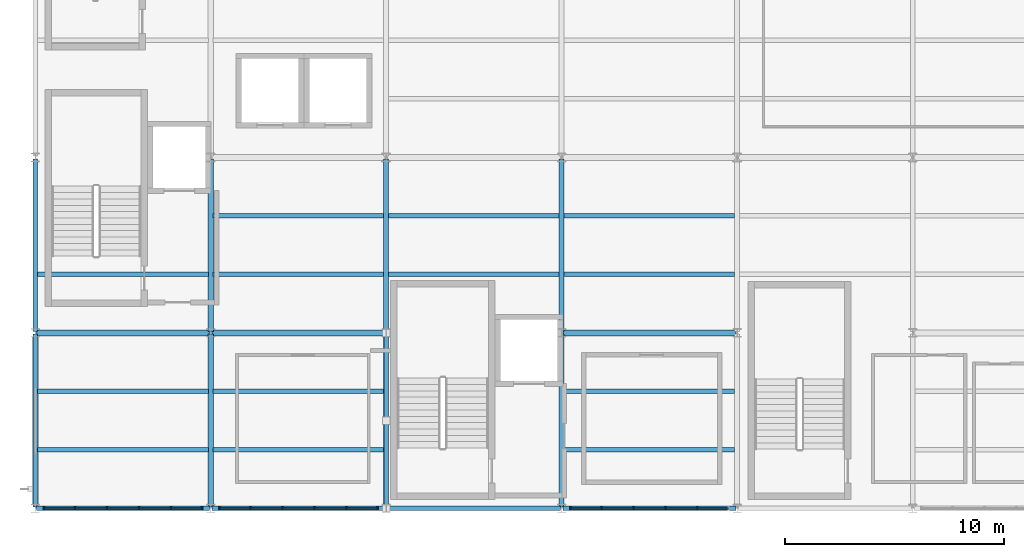
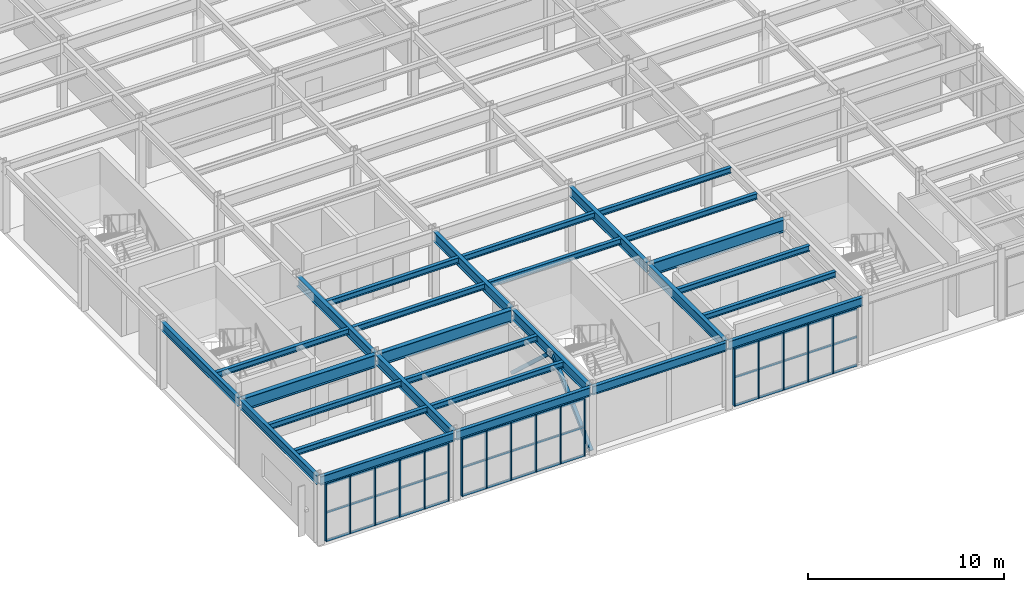
# One storey, part 14 of 83: 28 beams, 28 members, 3 elements without a shape of their own.
"""IFC4 building model written with IfcOpenShell, lengths in metres."""

from ifc_helpers import new_model, si_unit, direction, frame, origin, origin_2d, place, context, subcontext, project, spatial, rectangle, hollow_rectangle, i_section, extrude, material, material_profile, profile_set, type_object, element, aggregate, save


model = new_model("IFC4")

# Units and contexts
model_context = context("Model", 3, precision=1e-05, world=origin(), true_north=direction((0.0, 1.0)))
body_context = subcontext(model_context, "Body", "Model", "MODEL_VIEW")
ifc_project = project(units=[si_unit("LENGTHUNIT", "METRE"), si_unit("AREAUNIT", "SQUARE_METRE"), si_unit("VOLUMEUNIT", "CUBIC_METRE"), si_unit("PLANEANGLEUNIT", "RADIAN"), si_unit("MASSUNIT", "GRAM", prefix="KILO")], contexts=[model_context])

# Site, building, storey
site_placement = place(None, origin())
site = spatial("IfcSite", under=ifc_project, at=site_placement, CompositionType="ELEMENT")
building_placement = place(site_placement, origin())
building = spatial("IfcBuilding", under=site, at=building_placement, Name="Drelvath Fold Interchange", CompositionType="ELEMENT")
storey_placement = place(building_placement, frame((0.0, 0.0, 11.199951171875)))
storey = spatial("IfcBuildingStorey", under=building, at=storey_placement, Name="L02", CompositionType="ELEMENT", Elevation=11.199951171875)

# Beams
ifc_material_1 = material(Name="Steel ASTM A992 Grade 50", Category="steel")
ifc_material_profile_1 = material_profile(ifc_material_1, i_section(OverallWidth=0.205078125, OverallDepth=0.35400390625, WebThickness=0.009521484375, FlangeThickness=0.016845703125, at=origin_2d()), Name="W14X53")
ifc_profile_set_1 = profile_set([ifc_material_profile_1], Name="Steel ASTM A992 Grade 50")
beam_type_1 = type_object("IfcBeamType", Name="BM-W14X53", PredefinedType="JOIST", material=ifc_profile_set_1)
for number, where, z_axis, x_axis, name in (
    (1, (4.10302734375, 5.6669921875, 3.9931640625), (1.0, 0.0, 0.0), (0.0, 1.0, 0.0), "L02 Secondary floor joist BM-W14X53"),
    (2, (4.10302734375, 8.3330078125, 3.9931640625), (1.0, 0.0, 0.0), (0.0, 1.0, 0.0), "L02 Secondary floor joist BM-W14X53"),
    (3, (4.10302734375, 13.6669921875, 3.9931640625), (1.0, 0.0, 0.0), (0.0, 1.0, 0.0), "L02 Secondary floor joist BM-W14X53"),
):
    element("IfcBeam", number, at=place(storey_placement, frame(where, z_axis=z_axis, x_axis=x_axis)), inside=storey, type_object=beam_type_1, Name=name, PredefinedType="JOIST", context=body_context, shape_type="SweptSolid", body=[
        extrude(i_section(OverallWidth=0.205078125, OverallDepth=0.35400390625, WebThickness=0.009521484375, FlangeThickness=0.016845703125, at=origin_2d()), origin(), (0.0, 0.0, 1.0), 7.783935546875),
    ])
for number, where, z_axis, x_axis, name in (
    (4, (12.113037109375, 5.6669921875, 3.9931640625), (1.0, 0.0, 0.0), (0.0, 1.0, 0.0), "L02 Secondary floor joist BM-W14X53"),
    (5, (12.113037109375, 8.3330078125, 3.9931640625), (1.0, 0.0, 0.0), (0.0, 1.0, 0.0), "L02 Secondary floor joist BM-W14X53"),
    (6, (12.113037109375, 13.6669921875, 3.9931640625), (1.0, 0.0, 0.0), (0.0, 1.0, 0.0), "L02 Secondary floor joist BM-W14X53"),
    (7, (12.113037109375, 16.3330078125, 3.9931640625), (1.0, 0.0, 0.0), (0.0, 1.0, 0.0), "L02 Secondary floor joist BM-W14X53"),
    (8, (20.113037109375, 13.6669921875, 3.9931640625), (1.0, 0.0, 0.0), (0.0, 1.0, 0.0), "L02 Secondary floor joist BM-W14X53"),
    (9, (20.113037109375, 16.3330078125, 3.9931640625), (1.0, 0.0, 0.0), (0.0, 1.0, 0.0), "L02 Secondary floor joist BM-W14X53"),
    (10, (28.113037109375, 5.6669921875, 3.9931640625), (1.0, 0.0, 0.0), (0.0, 1.0, 0.0), "L02 Secondary floor joist BM-W14X53"),
    (11, (28.113037109375, 8.3330078125, 3.9931640625), (1.0, 0.0, 0.0), (0.0, 1.0, 0.0), "L02 Secondary floor joist BM-W14X53"),
    (12, (28.113037109375, 13.6669921875, 3.9931640625), (1.0, 0.0, 0.0), (0.0, 1.0, 0.0), "L02 Secondary floor joist BM-W14X53"),
    (13, (28.113037109375, 16.3330078125, 3.9931640625), (1.0, 0.0, 0.0), (0.0, 1.0, 0.0), "L02 Secondary floor joist BM-W14X53"),
):
    element("IfcBeam", number, at=place(storey_placement, frame(where, z_axis=z_axis, x_axis=x_axis)), inside=storey, type_object=beam_type_1, Name=name, PredefinedType="JOIST", context=body_context, shape_type="SweptSolid", body=[
        extrude(i_section(OverallWidth=0.205078125, OverallDepth=0.35400390625, WebThickness=0.009521484375, FlangeThickness=0.016845703125, at=origin_2d()), origin(), (0.0, 0.0, 1.0), 7.77392578125),
    ])
ifc_material_profile_2 = material_profile(ifc_material_1, i_section(OverallWidth=0.2099609375, OverallDepth=0.537109375, WebThickness=0.010986328125, FlangeThickness=0.017333984375, at=origin_2d()), Name="W21X68")
ifc_profile_set_2 = profile_set([ifc_material_profile_2], Name="Steel ASTM A992 Grade 50")
beam_type_2 = type_object("IfcBeamType", Name="BM-W21X68", PredefinedType="SPANDREL", material=ifc_profile_set_2)
for number, where, z_axis, x_axis, name in (
    (14, (4.06005859375, 3.0, 3.901123046875), (1.0, 0.0, 0.0), (0.0, 1.0, 0.0), "L02 Primary X girder BM-W21X68"),
    (15, (12.06005859375, 3.0, 3.901123046875), (1.0, 0.0, 0.0), (0.0, 1.0, 0.0), "L02 Primary X girder BM-W21X68"),
    (16, (20.06005859375, 3.0, 3.901123046875), (1.0, 0.0, 0.0), (0.0, 1.0, 0.0), "L02 Primary X girder BM-W21X68"),
    (17, (28.06005859375, 3.0, 3.901123046875), (1.0, 0.0, 0.0), (0.0, 1.0, 0.0), "L02 Primary X girder BM-W21X68"),
    (18, (4.0, 3.06005859375, 3.901123046875), (0.0, 1.0, 0.0), (-1.0, 0.0, 0.0), "L02 Primary Y girder BM-W21X68"),
    (19, (4.0, 11.06005859375, 3.901123046875), (0.0, 1.0, 0.0), (-1.0, 0.0, 0.0), "L02 Primary Y girder BM-W21X68"),
):
    element("IfcBeam", number, at=place(storey_placement, frame(where, z_axis=z_axis, x_axis=x_axis)), inside=storey, type_object=beam_type_2, Name=name, PredefinedType="SPANDREL", context=body_context, shape_type="SweptSolid", body=[
        extrude(i_section(OverallWidth=0.2099609375, OverallDepth=0.537109375, WebThickness=0.010986328125, FlangeThickness=0.017333984375, at=origin_2d()), origin(), (0.0, 0.0, 1.0), 7.8798828125),
    ])
ifc_material_profile_3 = material_profile(ifc_material_1, i_section(OverallWidth=0.22998046875, OverallDepth=0.616943359375, WebThickness=0.01318359375, FlangeThickness=0.022216796875, at=origin_2d()), Name="W24X94")
ifc_profile_set_3 = profile_set([ifc_material_profile_3], Name="Steel ASTM A992 Grade 50")
beam_type_3 = type_object("IfcBeamType", Name="BM-W24X94", PredefinedType="BEAM", material=ifc_profile_set_3)
for number, where, z_axis, x_axis, name in (
    (20, (12.0, 3.06005859375, 3.861083984375), (0.0, 1.0, 0.0), (-1.0, 0.0, 0.0), "L02 Primary Y girder BM-W24X94"),
    (21, (12.0, 11.06005859375, 3.861083984375), (0.0, 1.0, 0.0), (-1.0, 0.0, 0.0), "L02 Primary Y girder BM-W24X94"),
    (22, (20.0, 3.06005859375, 3.861083984375), (0.0, 1.0, 0.0), (-1.0, 0.0, 0.0), "L02 Primary Y girder BM-W24X94"),
    (23, (20.0, 11.06005859375, 3.861083984375), (0.0, 1.0, 0.0), (-1.0, 0.0, 0.0), "L02 Primary Y girder BM-W24X94"),
    (24, (28.0, 3.06005859375, 3.861083984375), (0.0, 1.0, 0.0), (-1.0, 0.0, 0.0), "L02 Primary Y girder BM-W24X94"),
    (25, (28.0, 11.06005859375, 3.861083984375), (0.0, 1.0, 0.0), (-1.0, 0.0, 0.0), "L02 Primary Y girder BM-W24X94"),
):
    element("IfcBeam", number, at=place(storey_placement, frame(where, z_axis=z_axis, x_axis=x_axis)), inside=storey, type_object=beam_type_3, Name=name, PredefinedType="BEAM", context=body_context, shape_type="SweptSolid", body=[
        extrude(i_section(OverallWidth=0.22998046875, OverallDepth=0.616943359375, WebThickness=0.01318359375, FlangeThickness=0.022216796875, at=origin_2d()), origin(), (0.0, 0.0, 1.0), 7.8798828125),
    ])
ifc_material_profile_4 = material_profile(ifc_material_1, i_section(OverallWidth=0.26611328125, OverallDepth=0.779052734375, WebThickness=0.0166015625, FlangeThickness=0.030029296875, at=origin_2d()), Name="W30X148")
ifc_profile_set_4 = profile_set([ifc_material_profile_4], Name="Steel ASTM A992 Grade 50")
beam_type_4 = type_object("IfcBeamType", Name="BM-W30X148", PredefinedType="BEAM", material=ifc_profile_set_4)
for number, where, z_axis, x_axis, name in (
    (26, (4.06005859375, 11.0, 3.780029296875), (1.0, 0.0, 0.0), (0.0, 1.0, 0.0), "L02 Primary X girder BM-W30X148"),
    (27, (12.06005859375, 11.0, 3.780029296875), (1.0, 0.0, 0.0), (0.0, 1.0, 0.0), "L02 Primary X girder BM-W30X148"),
    (28, (28.06005859375, 11.0, 3.780029296875), (1.0, 0.0, 0.0), (0.0, 1.0, 0.0), "L02 Primary X girder BM-W30X148"),
):
    element("IfcBeam", number, at=place(storey_placement, frame(where, z_axis=z_axis, x_axis=x_axis)), inside=storey, type_object=beam_type_4, Name=name, PredefinedType="BEAM", context=body_context, shape_type="SweptSolid", body=[
        extrude(i_section(OverallWidth=0.26611328125, OverallDepth=0.779052734375, WebThickness=0.0166015625, FlangeThickness=0.030029296875, at=origin_2d()), origin(), (0.0, 0.0, 1.0), 7.8798828125),
    ])

# Members
ifc_material_2 = material(Name="Steel ASTM A500 Grade C", Category="steel")
ifc_material_profile_5 = material_profile(ifc_material_2, hollow_rectangle(XDim=0.202880859375, YDim=0.202880859375, WallThickness=0.0087890625, at=origin_2d()), Name="HSS8X8X3/8")
ifc_profile_set_5 = profile_set([ifc_material_profile_5], Name="Steel ASTM A500 Grade C")
member_type_1 = type_object("IfcMemberType", Name="BR-CBF203", PredefinedType="BRACE", material=ifc_profile_set_5)
for number, where, z_axis, x_axis, name in (
    (29, (20.0, 3.0, 0.16015625), (0.0, 0.734014570565, 0.67913372041), (-1.0, 0.0, 0.0), "L02 Concentrically braced frame diagonal BR-CBF203"),
    (30, (20.0, 11.0, 0.16015625), (0.0, -0.734014570565, 0.67913372041), (1.0, 0.0, 0.0), "L02 Concentrically braced frame diagonal BR-CBF203"),
):
    element("IfcMember", number, at=place(storey_placement, frame(where, z_axis=z_axis, x_axis=x_axis)), inside=storey, type_object=member_type_1, Name=name, PredefinedType="BRACE", context=body_context, shape_type="SweptSolid", body=[
        extrude(hollow_rectangle(XDim=0.202880859375, YDim=0.202880859375, WallThickness=0.0087890625, at=origin_2d()), origin(), (0.0, 0.0, 1.0), 5.449462890625),
    ])

# Curtain wall, members
ifc_material_3 = material(Name="Anodized Aluminium 6063-T6", Category="aluminium")
curtain_wall_type = type_object("IfcCurtainWallType", Name="CW-OPS-UPP", PredefinedType="USERDEFINED", material=ifc_material_3)
curtain_wall_1_placement = place(storey_placement, origin())
curtain_wall_1 = element("IfcCurtainWall", 31, at=curtain_wall_1_placement, inside=storey, type_object=curtain_wall_type, Name="Curtain wall CW-V5-L02-S4", ObjectType="UNITISED CURTAIN WALL", PredefinedType="USERDEFINED")
ifc_material_profile_6 = material_profile(ifc_material_3, rectangle(XDim=0.06005859375, YDim=0.175048828125, at=origin_2d()), Name="AL-M 60x175")
ifc_profile_set_6 = profile_set([ifc_material_profile_6], Name="Anodized Aluminium 6063-T6")
member_type_2 = type_object("IfcMemberType", Name="ML-175", PredefinedType="MULLION", material=ifc_profile_set_6)
member_1_placement = place(storey_placement, frame((4.39990234375, 3.0, 0.0), z_axis=(0.0, 0.0, 1.0), x_axis=(1.0, 0.0, 0.0)))
member_1 = element("IfcMember", 32, at=member_1_placement, type_object=member_type_2, Name="CW-V5-L02-S4 mullion 0", PredefinedType="MULLION", context=body_context, shape_type="SweptSolid", body=[
    extrude(rectangle(XDim=0.06005859375, YDim=0.175048828125, at=origin_2d()), origin(), (0.0, 0.0, 1.0), 3.550048828125),
])
member_2_placement = place(storey_placement, frame((5.81591796875, 3.0, 0.0), z_axis=(0.0, 0.0, 1.0), x_axis=(1.0, 0.0, 0.0)))
member_2 = element("IfcMember", 33, at=member_2_placement, type_object=member_type_2, Name="CW-V5-L02-S4 mullion 1", PredefinedType="MULLION", context=body_context, shape_type="SweptSolid", body=[
    extrude(rectangle(XDim=0.06005859375, YDim=0.175048828125, at=origin_2d()), origin(), (0.0, 0.0, 1.0), 3.550048828125),
])
member_3_placement = place(storey_placement, frame((7.27197265625, 3.0, 0.0), z_axis=(0.0, 0.0, 1.0), x_axis=(1.0, 0.0, 0.0)))
member_3 = element("IfcMember", 34, at=member_3_placement, type_object=member_type_2, Name="CW-V5-L02-S4 mullion 2", PredefinedType="MULLION", context=body_context, shape_type="SweptSolid", body=[
    extrude(rectangle(XDim=0.06005859375, YDim=0.175048828125, at=origin_2d()), origin(), (0.0, 0.0, 1.0), 3.550048828125),
])
member_4_placement = place(storey_placement, frame((8.72802734375, 3.0, 0.0), z_axis=(0.0, 0.0, 1.0), x_axis=(1.0, 0.0, 0.0)))
member_4 = element("IfcMember", 35, at=member_4_placement, type_object=member_type_2, Name="CW-V5-L02-S4 mullion 3", PredefinedType="MULLION", context=body_context, shape_type="SweptSolid", body=[
    extrude(rectangle(XDim=0.06005859375, YDim=0.175048828125, at=origin_2d()), origin(), (0.0, 0.0, 1.0), 3.550048828125),
])
member_5_placement = place(storey_placement, frame((10.18408203125, 3.0, 0.0), z_axis=(0.0, 0.0, 1.0), x_axis=(1.0, 0.0, 0.0)))
member_5 = element("IfcMember", 36, at=member_5_placement, type_object=member_type_2, Name="CW-V5-L02-S4 mullion 4", PredefinedType="MULLION", context=body_context, shape_type="SweptSolid", body=[
    extrude(rectangle(XDim=0.06005859375, YDim=0.175048828125, at=origin_2d()), origin(), (0.0, 0.0, 1.0), 3.550048828125),
])
member_6_placement = place(storey_placement, frame((11.60009765625, 3.0, 0.0), z_axis=(0.0, 0.0, 1.0), x_axis=(1.0, 0.0, 0.0)))
member_6 = element("IfcMember", 37, at=member_6_placement, type_object=member_type_2, Name="CW-V5-L02-S4 mullion 5", PredefinedType="MULLION", context=body_context, shape_type="SweptSolid", body=[
    extrude(rectangle(XDim=0.06005859375, YDim=0.175048828125, at=origin_2d()), origin(), (0.0, 0.0, 1.0), 3.550048828125),
])

curtain_wall_2_placement = place(storey_placement, origin())
curtain_wall_2 = element("IfcCurtainWall", 38, at=curtain_wall_2_placement, inside=storey, type_object=curtain_wall_type, Name="Curtain wall CW-V5-L02-S12", ObjectType="UNITISED CURTAIN WALL", PredefinedType="USERDEFINED")
member_7_placement = place(storey_placement, frame((12.39990234375, 3.0, 0.0), z_axis=(0.0, 0.0, 1.0), x_axis=(1.0, 0.0, 0.0)))
member_7 = element("IfcMember", 39, at=member_7_placement, type_object=member_type_2, Name="CW-V5-L02-S12 mullion 0", PredefinedType="MULLION", context=body_context, shape_type="SweptSolid", body=[
    extrude(rectangle(XDim=0.06005859375, YDim=0.175048828125, at=origin_2d()), origin(), (0.0, 0.0, 1.0), 3.550048828125),
])
member_8_placement = place(storey_placement, frame((13.81591796875, 3.0, 0.0), z_axis=(0.0, 0.0, 1.0), x_axis=(1.0, 0.0, 0.0)))
member_8 = element("IfcMember", 40, at=member_8_placement, type_object=member_type_2, Name="CW-V5-L02-S12 mullion 1", PredefinedType="MULLION", context=body_context, shape_type="SweptSolid", body=[
    extrude(rectangle(XDim=0.06005859375, YDim=0.175048828125, at=origin_2d()), origin(), (0.0, 0.0, 1.0), 3.550048828125),
])
member_9_placement = place(storey_placement, frame((15.27197265625, 3.0, 0.0), z_axis=(0.0, 0.0, 1.0), x_axis=(1.0, 0.0, 0.0)))
member_9 = element("IfcMember", 41, at=member_9_placement, type_object=member_type_2, Name="CW-V5-L02-S12 mullion 2", PredefinedType="MULLION", context=body_context, shape_type="SweptSolid", body=[
    extrude(rectangle(XDim=0.06005859375, YDim=0.175048828125, at=origin_2d()), origin(), (0.0, 0.0, 1.0), 3.550048828125),
])
member_10_placement = place(storey_placement, frame((16.72802734375, 3.0, 0.0), z_axis=(0.0, 0.0, 1.0), x_axis=(1.0, 0.0, 0.0)))
member_10 = element("IfcMember", 42, at=member_10_placement, type_object=member_type_2, Name="CW-V5-L02-S12 mullion 3", PredefinedType="MULLION", context=body_context, shape_type="SweptSolid", body=[
    extrude(rectangle(XDim=0.06005859375, YDim=0.175048828125, at=origin_2d()), origin(), (0.0, 0.0, 1.0), 3.550048828125),
])
member_11_placement = place(storey_placement, frame((18.18408203125, 3.0, 0.0), z_axis=(0.0, 0.0, 1.0), x_axis=(1.0, 0.0, 0.0)))
member_11 = element("IfcMember", 43, at=member_11_placement, type_object=member_type_2, Name="CW-V5-L02-S12 mullion 4", PredefinedType="MULLION", context=body_context, shape_type="SweptSolid", body=[
    extrude(rectangle(XDim=0.06005859375, YDim=0.175048828125, at=origin_2d()), origin(), (0.0, 0.0, 1.0), 3.550048828125),
])
member_12_placement = place(storey_placement, frame((19.60009765625, 3.0, 0.0), z_axis=(0.0, 0.0, 1.0), x_axis=(1.0, 0.0, 0.0)))
member_12 = element("IfcMember", 44, at=member_12_placement, type_object=member_type_2, Name="CW-V5-L02-S12 mullion 5", PredefinedType="MULLION", context=body_context, shape_type="SweptSolid", body=[
    extrude(rectangle(XDim=0.06005859375, YDim=0.175048828125, at=origin_2d()), origin(), (0.0, 0.0, 1.0), 3.550048828125),
])

curtain_wall_3_placement = place(storey_placement, origin())
curtain_wall_3 = element("IfcCurtainWall", 45, at=curtain_wall_3_placement, inside=storey, type_object=curtain_wall_type, Name="Curtain wall CW-V5-L02-S28", ObjectType="UNITISED CURTAIN WALL", PredefinedType="USERDEFINED")
member_13_placement = place(storey_placement, frame((28.39990234375, 3.0, 0.0), z_axis=(0.0, 0.0, 1.0), x_axis=(1.0, 0.0, 0.0)))
member_13 = element("IfcMember", 46, at=member_13_placement, type_object=member_type_2, Name="CW-V5-L02-S28 mullion 0", PredefinedType="MULLION", context=body_context, shape_type="SweptSolid", body=[
    extrude(rectangle(XDim=0.06005859375, YDim=0.175048828125, at=origin_2d()), origin(), (0.0, 0.0, 1.0), 3.550048828125),
])
member_14_placement = place(storey_placement, frame((29.81591796875, 3.0, 0.0), z_axis=(0.0, 0.0, 1.0), x_axis=(1.0, 0.0, 0.0)))
member_14 = element("IfcMember", 47, at=member_14_placement, type_object=member_type_2, Name="CW-V5-L02-S28 mullion 1", PredefinedType="MULLION", context=body_context, shape_type="SweptSolid", body=[
    extrude(rectangle(XDim=0.06005859375, YDim=0.175048828125, at=origin_2d()), origin(), (0.0, 0.0, 1.0), 3.550048828125),
])
member_15_placement = place(storey_placement, frame((31.27197265625, 3.0, 0.0), z_axis=(0.0, 0.0, 1.0), x_axis=(1.0, 0.0, 0.0)))
member_15 = element("IfcMember", 48, at=member_15_placement, type_object=member_type_2, Name="CW-V5-L02-S28 mullion 2", PredefinedType="MULLION", context=body_context, shape_type="SweptSolid", body=[
    extrude(rectangle(XDim=0.06005859375, YDim=0.175048828125, at=origin_2d()), origin(), (0.0, 0.0, 1.0), 3.550048828125),
])
member_16_placement = place(storey_placement, frame((32.72802734375, 3.0, 0.0), z_axis=(0.0, 0.0, 1.0), x_axis=(1.0, 0.0, 0.0)))
member_16 = element("IfcMember", 49, at=member_16_placement, type_object=member_type_2, Name="CW-V5-L02-S28 mullion 3", PredefinedType="MULLION", context=body_context, shape_type="SweptSolid", body=[
    extrude(rectangle(XDim=0.06005859375, YDim=0.175048828125, at=origin_2d()), origin(), (0.0, 0.0, 1.0), 3.550048828125),
])
member_17_placement = place(storey_placement, frame((34.18408203125, 3.0, 0.0), z_axis=(0.0, 0.0, 1.0), x_axis=(1.0, 0.0, 0.0)))
member_17 = element("IfcMember", 50, at=member_17_placement, type_object=member_type_2, Name="CW-V5-L02-S28 mullion 4", PredefinedType="MULLION", context=body_context, shape_type="SweptSolid", body=[
    extrude(rectangle(XDim=0.06005859375, YDim=0.175048828125, at=origin_2d()), origin(), (0.0, 0.0, 1.0), 3.550048828125),
])

# Member
ifc_material_profile_7 = material_profile(ifc_material_3, rectangle(XDim=0.06005859375, YDim=0.139892578125, at=origin_2d()), Name="AL-T 60x140")
ifc_profile_set_7 = profile_set([ifc_material_profile_7], Name="Anodized Aluminium 6063-T6")
member_type_3 = type_object("IfcMemberType", Name="TR-140", PredefinedType="USERDEFINED", material=ifc_profile_set_7)
member_18_placement = place(storey_placement, frame((4.39990234375, 3.0, 0.030029296875), z_axis=(1.0, 0.0, 0.0), x_axis=(0.0, 1.0, 0.0)))
member_18 = element("IfcMember", 51, at=member_18_placement, type_object=member_type_3, Name="CW-V5-L02-S4 transom 0", ObjectType="TRANSOM", PredefinedType="USERDEFINED", context=body_context, shape_type="SweptSolid", body=[
    extrude(rectangle(XDim=0.06005859375, YDim=0.139892578125, at=origin_2d()), origin(), (0.0, 0.0, 1.0), 7.2001953125),
])

member_19_placement = place(storey_placement, frame((4.39990234375, 3.0, 1.775146484375), z_axis=(1.0, 0.0, 0.0), x_axis=(0.0, 1.0, 0.0)))
member_19 = element("IfcMember", 52, at=member_19_placement, type_object=member_type_3, Name="CW-V5-L02-S4 transom 1", ObjectType="TRANSOM", PredefinedType="USERDEFINED", context=body_context, shape_type="SweptSolid", body=[
    extrude(rectangle(XDim=0.06005859375, YDim=0.139892578125, at=origin_2d()), origin(), (0.0, 0.0, 1.0), 7.2001953125),
])

member_20_placement = place(storey_placement, frame((4.39990234375, 3.0, 3.52001953125), z_axis=(1.0, 0.0, 0.0), x_axis=(0.0, 1.0, 0.0)))
member_20 = element("IfcMember", 53, at=member_20_placement, type_object=member_type_3, Name="CW-V5-L02-S4 transom 2", ObjectType="TRANSOM", PredefinedType="USERDEFINED", context=body_context, shape_type="SweptSolid", body=[
    extrude(rectangle(XDim=0.06005859375, YDim=0.139892578125, at=origin_2d()), origin(), (0.0, 0.0, 1.0), 7.2001953125),
])

aggregate(curtain_wall_1, [member_1, member_2, member_3, member_4, member_5, member_6, member_18, member_19, member_20])

member_21_placement = place(storey_placement, frame((12.39990234375, 3.0, 0.030029296875), z_axis=(1.0, 0.0, 0.0), x_axis=(0.0, 1.0, 0.0)))
member_21 = element("IfcMember", 54, at=member_21_placement, type_object=member_type_3, Name="CW-V5-L02-S12 transom 0", ObjectType="TRANSOM", PredefinedType="USERDEFINED", context=body_context, shape_type="SweptSolid", body=[
    extrude(rectangle(XDim=0.06005859375, YDim=0.139892578125, at=origin_2d()), origin(), (0.0, 0.0, 1.0), 7.2001953125),
])

member_22_placement = place(storey_placement, frame((12.39990234375, 3.0, 1.775146484375), z_axis=(1.0, 0.0, 0.0), x_axis=(0.0, 1.0, 0.0)))
member_22 = element("IfcMember", 55, at=member_22_placement, type_object=member_type_3, Name="CW-V5-L02-S12 transom 1", ObjectType="TRANSOM", PredefinedType="USERDEFINED", context=body_context, shape_type="SweptSolid", body=[
    extrude(rectangle(XDim=0.06005859375, YDim=0.139892578125, at=origin_2d()), origin(), (0.0, 0.0, 1.0), 7.2001953125),
])

member_23_placement = place(storey_placement, frame((12.39990234375, 3.0, 3.52001953125), z_axis=(1.0, 0.0, 0.0), x_axis=(0.0, 1.0, 0.0)))
member_23 = element("IfcMember", 56, at=member_23_placement, type_object=member_type_3, Name="CW-V5-L02-S12 transom 2", ObjectType="TRANSOM", PredefinedType="USERDEFINED", context=body_context, shape_type="SweptSolid", body=[
    extrude(rectangle(XDim=0.06005859375, YDim=0.139892578125, at=origin_2d()), origin(), (0.0, 0.0, 1.0), 7.2001953125),
])

aggregate(curtain_wall_2, [member_7, member_8, member_9, member_10, member_11, member_12, member_21, member_22, member_23])

member_24_placement = place(storey_placement, frame((28.39990234375, 3.0, 0.030029296875), z_axis=(1.0, 0.0, 0.0), x_axis=(0.0, 1.0, 0.0)))
member_24 = element("IfcMember", 57, at=member_24_placement, type_object=member_type_3, Name="CW-V5-L02-S28 transom 0", ObjectType="TRANSOM", PredefinedType="USERDEFINED", context=body_context, shape_type="SweptSolid", body=[
    extrude(rectangle(XDim=0.06005859375, YDim=0.139892578125, at=origin_2d()), origin(), (0.0, 0.0, 1.0), 7.2001953125),
])

member_25_placement = place(storey_placement, frame((28.39990234375, 3.0, 1.775146484375), z_axis=(1.0, 0.0, 0.0), x_axis=(0.0, 1.0, 0.0)))
member_25 = element("IfcMember", 58, at=member_25_placement, type_object=member_type_3, Name="CW-V5-L02-S28 transom 1", ObjectType="TRANSOM", PredefinedType="USERDEFINED", context=body_context, shape_type="SweptSolid", body=[
    extrude(rectangle(XDim=0.06005859375, YDim=0.139892578125, at=origin_2d()), origin(), (0.0, 0.0, 1.0), 7.2001953125),
])

member_26_placement = place(storey_placement, frame((28.39990234375, 3.0, 3.52001953125), z_axis=(1.0, 0.0, 0.0), x_axis=(0.0, 1.0, 0.0)))
member_26 = element("IfcMember", 59, at=member_26_placement, type_object=member_type_3, Name="CW-V5-L02-S28 transom 2", ObjectType="TRANSOM", PredefinedType="USERDEFINED", context=body_context, shape_type="SweptSolid", body=[
    extrude(rectangle(XDim=0.06005859375, YDim=0.139892578125, at=origin_2d()), origin(), (0.0, 0.0, 1.0), 7.2001953125),
])

aggregate(curtain_wall_3, [member_13, member_14, member_15, member_16, member_17, member_24, member_25, member_26])

save(model, "model.ifc")
